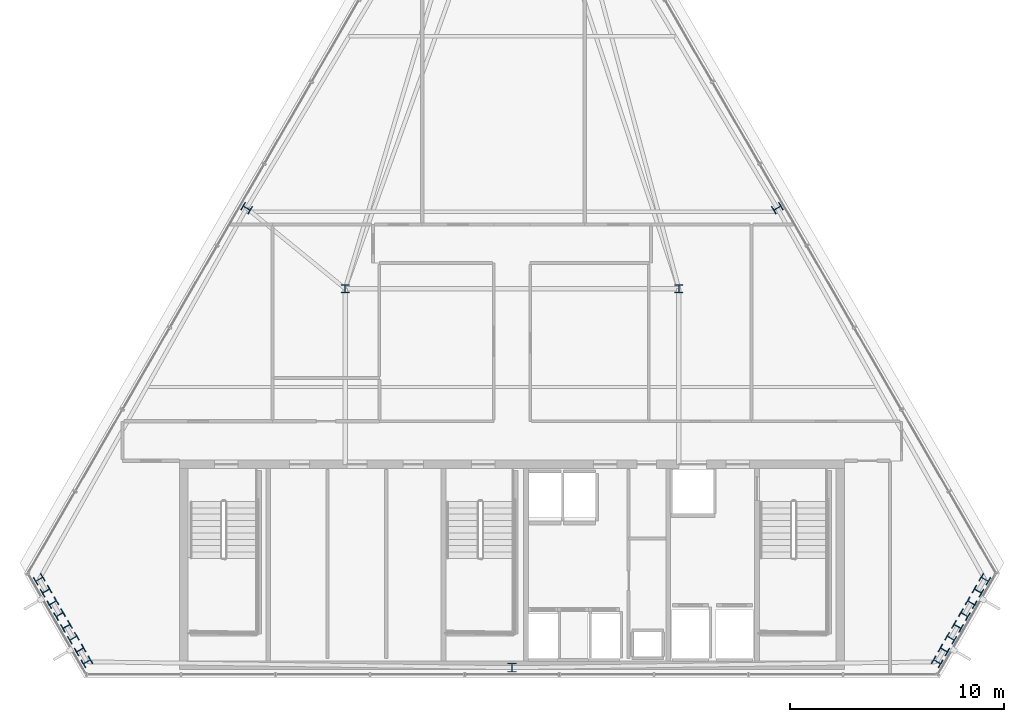
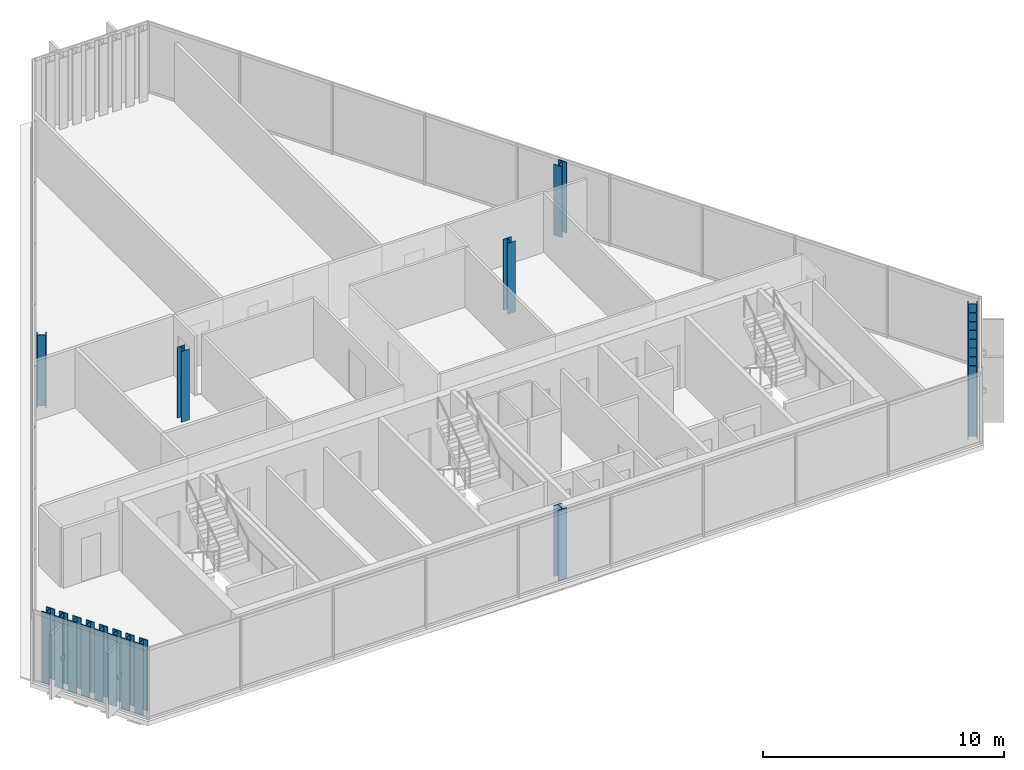
# One storey, part 1 of 34: 21 columns.
"""IFC4 building model written with IfcOpenShell, lengths in metres."""

from ifc_helpers import new_model, si_unit, direction, frame, origin, origin_2d, place, context, subcontext, project, spatial, i_section, extrude, material, material_profile, profile_set, type_object, element, save


model = new_model("IFC4")

# Units and contexts
model_context = context("Model", 3, precision=1e-05, world=origin(), true_north=direction((0.0, 1.0)))
body_context = subcontext(model_context, "Body", "Model", "MODEL_VIEW")
ifc_project = project(units=[si_unit("LENGTHUNIT", "METRE"), si_unit("AREAUNIT", "SQUARE_METRE"), si_unit("VOLUMEUNIT", "CUBIC_METRE"), si_unit("PLANEANGLEUNIT", "RADIAN"), si_unit("MASSUNIT", "GRAM", prefix="KILO")], contexts=[model_context])

# Site, building, storey
site_placement = place(None, origin())
site = spatial("IfcSite", under=ifc_project, at=site_placement, CompositionType="ELEMENT")
building_placement = place(site_placement, origin())
building = spatial("IfcBuilding", under=site, at=building_placement, Name="Ndaravel Arena Tower", CompositionType="ELEMENT")
storey_placement = place(building_placement, frame((0.0, 0.0, 263.60009765625)))
storey = spatial("IfcBuildingStorey", under=building, at=storey_placement, Name="L64", CompositionType="ELEMENT", Elevation=263.60009765625)

# Columns
ifc_material_1 = material(Name="Steel S355", Category="steel")
ifc_material_profile_1 = material_profile(ifc_material_1, i_section(OverallWidth=0.374755859375, OverallDepth=0.37451171875, WebThickness=0.0166015625, FlangeThickness=0.027099609375, FilletRadius=0.01513671875, at=origin_2d()), Name="UC 356x368x202")
ifc_profile_set_1 = profile_set([ifc_material_profile_1], Name="Steel S355")
column_type_1 = type_object("IfcColumnType", Name="COL-CRN-UC202", PredefinedType="COLUMN", material=ifc_profile_set_1)
for number, where, z_axis, x_axis, name in (
    (1, (34.199951171875, 23.199951171875, 0.0), (0.0, 0.0, 1.0), (1.0, 0.0, 0.0), "L64 Interior Spine Column IC-01"),
    (2, (49.800048828125, 23.199951171875, 0.0), (0.0, 0.0, 1.0), (1.0, 0.0, 0.0), "L64 Interior Spine Column IC-02"),
):
    element("IfcColumn", number, at=place(storey_placement, frame(where, z_axis=z_axis, x_axis=x_axis)), inside=storey, type_object=column_type_1, Name=name, PredefinedType="COLUMN", context=body_context, shape_type="SweptSolid", body=[
        extrude(i_section(OverallWidth=0.374755859375, OverallDepth=0.37451171875, WebThickness=0.0166015625, FlangeThickness=0.027099609375, FilletRadius=0.01513671875, at=origin_2d()), origin(), (0.0, 0.0, 1.0), 3.579833984375),
    ])
ifc_material_2 = material(Name="Steel S355", Category="steel")
ifc_material_profile_2 = material_profile(ifc_material_2, i_section(OverallWidth=0.406005859375, OverallDepth=0.416015625, WebThickness=0.02978515625, FlangeThickness=0.03662109375, FilletRadius=0.014892578125, at=origin_2d()), Name="HD 400x382")
ifc_profile_set_2 = profile_set([ifc_material_profile_2], Name="Steel S355")
column_type_2 = type_object("IfcColumnType", Name="COL-TUBE-HD382", PredefinedType="COLUMN", material=ifc_profile_set_2)
for number, where, z_axis, x_axis, name in (
    (3, (42.0, 5.47998046875, 0.0), (0.0, 0.0, 1.0), (1.0, 0.0, 0.0), "L64 Framed Tube Column TC-01"),
    (4, (61.87548828125, 5.755615234375, 0.0), (0.0, 0.0, 1.0), (0.5, 0.866025403784, 0.0), "L64 Framed Tube Column TC-02"),
    (5, (62.193603515625, 6.306640625, 0.0), (0.0, 0.0, 1.0), (0.5, 0.866025403784, 0.0), "L64 Framed Tube Column TC-03"),
    (6, (62.51171875, 6.85791015625, 0.0), (0.0, 0.0, 1.0), (0.5, 0.866025403784, 0.0), "L64 Framed Tube Column TC-04"),
    (7, (62.829833984375, 7.408935546875, 0.0), (0.0, 0.0, 1.0), (0.5, 0.866025403784, 0.0), "L64 Framed Tube Column TC-05"),
    (8, (63.148193359375, 7.9599609375, 0.0), (0.0, 0.0, 1.0), (0.5, 0.866025403784, 0.0), "L64 Framed Tube Column TC-06"),
    (9, (63.46630859375, 8.510986328125, 0.0), (0.0, 0.0, 1.0), (0.5, 0.866025403784, 0.0), "L64 Framed Tube Column TC-07"),
    (10, (63.784423828125, 9.06201171875, 0.0), (0.0, 0.0, 1.0), (0.5, 0.866025403784, 0.0), "L64 Framed Tube Column TC-08"),
    (11, (64.1025390625, 9.61328125, 0.0), (0.0, 0.0, 1.0), (0.5, 0.866025403784, 0.0), "L64 Framed Tube Column TC-09"),
    (12, (54.403564453125, 26.963623046875, 0.0), (0.0, 0.0, 1.0), (-0.5, 0.866025403784, 0.0), "L64 Framed Tube Column TC-10"),
    (13, (29.596435546875, 26.963623046875, 0.0), (0.0, 0.0, 1.0), (0.5, 0.866025403784, 0.0), "L64 Framed Tube Column TC-19"),
    (14, (19.8974609375, 9.61328125, 0.0), (0.0, 0.0, 1.0), (-0.5, 0.866025403784, 0.0), "L64 Framed Tube Column TC-20"),
    (15, (20.215576171875, 9.06201171875, 0.0), (0.0, 0.0, 1.0), (-0.5, 0.866025403784, 0.0), "L64 Framed Tube Column TC-21"),
    (16, (20.53369140625, 8.510986328125, 0.0), (0.0, 0.0, 1.0), (-0.5, 0.866025403784, 0.0), "L64 Framed Tube Column TC-22"),
    (17, (20.851806640625, 7.9599609375, 0.0), (0.0, 0.0, 1.0), (-0.5, 0.866025403784, 0.0), "L64 Framed Tube Column TC-23"),
    (18, (21.170166015625, 7.408935546875, 0.0), (0.0, 0.0, 1.0), (-0.5, 0.866025403784, 0.0), "L64 Framed Tube Column TC-24"),
    (19, (21.48828125, 6.85791015625, 0.0), (0.0, 0.0, 1.0), (-0.5, 0.866025403784, 0.0), "L64 Framed Tube Column TC-25"),
    (20, (21.806396484375, 6.306640625, 0.0), (0.0, 0.0, 1.0), (-0.5, 0.866025403784, 0.0), "L64 Framed Tube Column TC-26"),
    (21, (22.12451171875, 5.755615234375, 0.0), (0.0, 0.0, 1.0), (-0.5, 0.866025403784, 0.0), "L64 Framed Tube Column TC-27"),
):
    element("IfcColumn", number, at=place(storey_placement, frame(where, z_axis=z_axis, x_axis=x_axis)), inside=storey, type_object=column_type_2, Name=name, PredefinedType="COLUMN", context=body_context, shape_type="SweptSolid", body=[
        extrude(i_section(OverallWidth=0.406005859375, OverallDepth=0.416015625, WebThickness=0.02978515625, FlangeThickness=0.03662109375, FilletRadius=0.014892578125, at=origin_2d()), origin(), (0.0, 0.0, 1.0), 3.579833984375),
    ])

save(model, "model.ifc")
